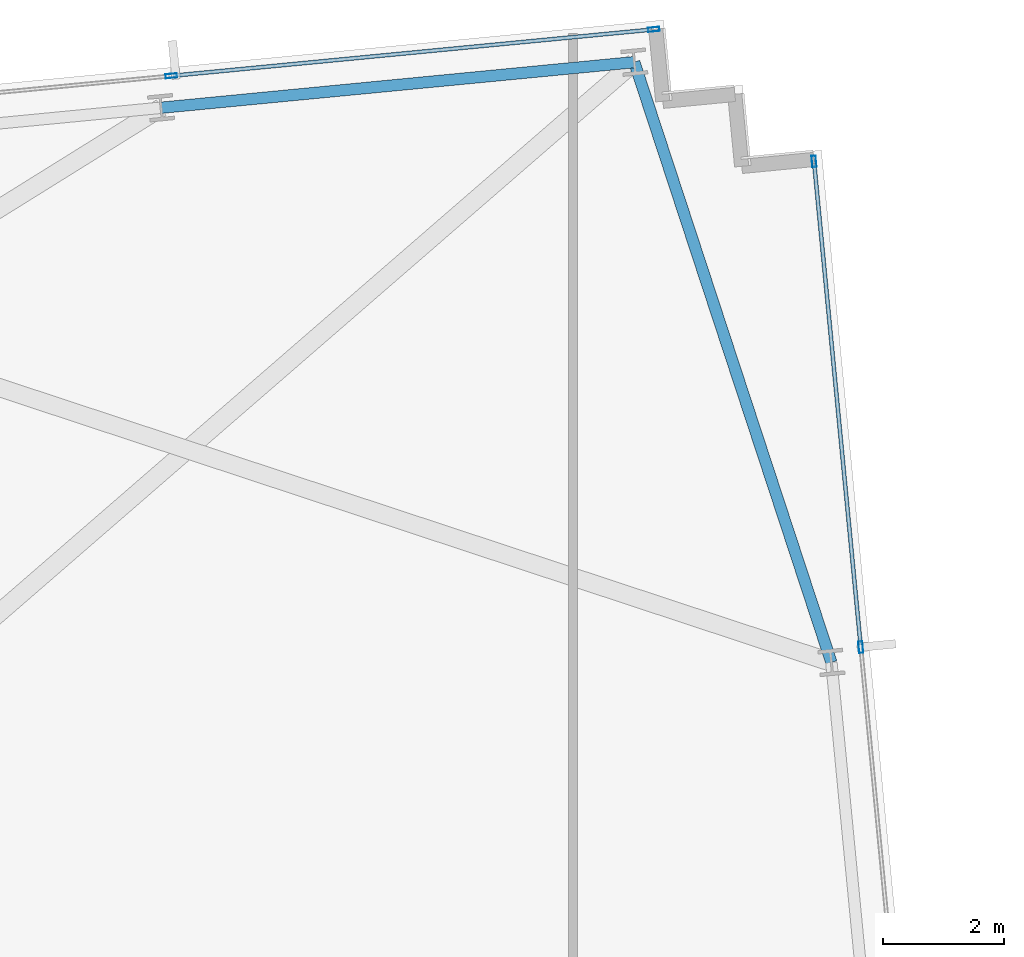
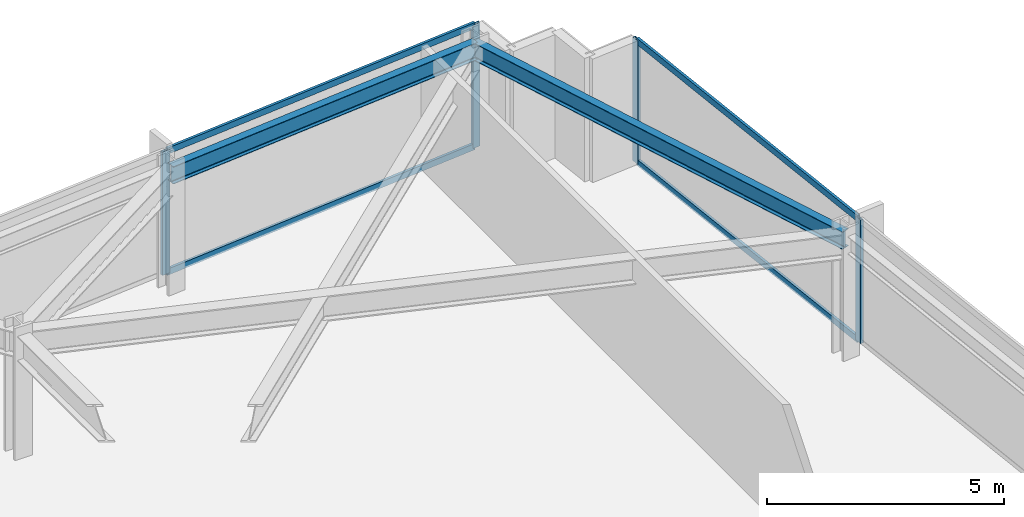
# One storey, part 23 of 33: 8 members, 2 beams, 2 elements without a shape of their own.
"""IFC4 building model written with IfcOpenShell, lengths in metres."""

import ifcopenshell
import ifcopenshell.guid

model = None  # the IFC model being written
_history = None  # IfcOwnerHistory: only IFC2X3 demands one
_inside = {}  # id of a spatial element -> (the spatial element, [elements in it])
_under = {}  # id of a project, library or spatial element -> (it, [spatial elements below it])
_declared = {}  # id of a project -> (the project, [libraries it declares])
_typed = {}  # id of a type object -> (the type object, [elements of that type])
_made_of = {}  # id of a material, layer set ... -> (it, [elements and type objects made of it])


def new_model(schema):
    """Start an empty IFC model of exactly this schema.

    Asked for "IFC4X3", IfcOpenShell would pick the latest addendum, in which some entities
    have other attributes; the version numbers below select the first issue.
    IFC2X3 requires an IfcOwnerHistory on every rooted entity: one is made here for all.
    """
    global model, _history
    if schema == "IFC4X3":
        model = ifcopenshell.file(schema_version=(4, 3, 0, 0))
    else:
        model = ifcopenshell.file(schema=schema)
    _inside.clear()
    _under.clear()
    _declared.clear()
    _typed.clear()
    _made_of.clear()
    _history = None
    if model.schema == "IFC2X3":
        org = make("IfcOrganization", Name="unknown")
        user = make(
            "IfcPersonAndOrganization",
            ThePerson=make("IfcPerson", FamilyName="unknown"),
            TheOrganization=org,
        )
        app = make(
            "IfcApplication",
            ApplicationDeveloper=org,
            Version="unknown",
            ApplicationFullName="unknown",
            ApplicationIdentifier="unknown",
        )
        _history = make(
            "IfcOwnerHistory",
            OwningUser=user,
            OwningApplication=app,
            ChangeAction="ADDED",
            CreationDate=0,
        )
    return model


def make(cls, **values):
    """One entity of the class cls with the attributes given. An attribute that is None is left unset."""
    return model.create_entity(
        cls, **{name: value for name, value in values.items() if value is not None}
    )


def rooted(cls, **values):
    """An entity with a GlobalId (a new one), such as an element, a storey or a relation."""
    return make(cls, GlobalId=ifcopenshell.guid.new(), OwnerHistory=_history, **values)


def si_unit(unit_type, name, prefix=None):
    """IfcSIUnit, for example si_unit("LENGTHUNIT", "METRE", prefix="MILLI")."""
    return make("IfcSIUnit", UnitType=unit_type, Prefix=prefix, Name=name)


def assignment(units):
    """IfcUnitAssignment: the units of a project."""
    return None if units is None else make("IfcUnitAssignment", Units=units)


def point(xyz):
    """IfcCartesianPoint."""
    return None if xyz is None else make("IfcCartesianPoint", Coordinates=xyz)


def direction(xyz):
    """IfcDirection."""
    return None if xyz is None else make("IfcDirection", DirectionRatios=xyz)


def frame(location, z_axis=None, x_axis=None):
    """IfcAxis2Placement3D, a coordinate frame: its origin and axes. An axis left out is left unset."""
    return make(
        "IfcAxis2Placement3D",
        Location=point(location),
        Axis=direction(z_axis),
        RefDirection=direction(x_axis),
    )


def frame_2d(location, x_axis=None):
    """IfcAxis2Placement2D, a coordinate frame in the plane: its origin and x axis."""
    return make(
        "IfcAxis2Placement2D", Location=point(location), RefDirection=direction(x_axis)
    )


def origin():
    """The frame at (0, 0, 0) with its axes left unset."""
    return frame((0.0, 0.0, 0.0))


def origin_2d():
    """The frame at (0, 0) in the plane with its x axis left unset."""
    return frame_2d((0.0, 0.0))


def place(relative_to, where):
    """IfcLocalPlacement: puts the frame where relative to a parent placement (None: the world)."""
    return make(
        "IfcLocalPlacement", PlacementRelTo=relative_to, RelativePlacement=where
    )


def context(
    kind, dimensions, precision=None, world=None, true_north=None, identifier=None
):
    """IfcGeometricRepresentationContext, for example the 3D "Model" context."""
    return make(
        "IfcGeometricRepresentationContext",
        ContextIdentifier=identifier,
        ContextType=kind,
        CoordinateSpaceDimension=dimensions,
        Precision=precision,
        WorldCoordinateSystem=world,
        TrueNorth=true_north,
    )


def subcontext(parent, identifier, kind, view, scale=None):
    """IfcGeometricRepresentationSubContext, for example "Body" below "Model"."""
    return make(
        "IfcGeometricRepresentationSubContext",
        ContextIdentifier=identifier,
        ContextType=kind,
        ParentContext=parent,
        TargetScale=scale,
        TargetView=view,
    )


def project(units=None, contexts=None):
    """IfcProject with its units and contexts."""
    return rooted(
        "IfcProject",
        Name="project",
        RepresentationContexts=contexts,
        UnitsInContext=assignment(units),
    )


def spatial(cls, under=None, at=None, **own):
    """A site, building, storey or space (cls), placed at a placement, below another one or the project."""
    s = rooted(cls, ObjectPlacement=at, **own)
    if under is not None:
        _under.setdefault(under.id(), (under, []))[1].append(s)
    return s


def profile(cls, at=None, kind="AREA", **sizes):
    """A parametric profile (cls). Its sizes go by their IFC names, for example OverallWidth=200.0."""
    return make(cls, ProfileType=kind, Position=at, **sizes)


def hollow_rectangle(**sizes):
    """IfcRectangleHollowProfileDef."""
    return profile("IfcRectangleHollowProfileDef", **sizes)


def i_section(**sizes):
    """IfcIShapeProfileDef."""
    return profile("IfcIShapeProfileDef", **sizes)


def extrude(swept, where, along, depth):
    """IfcExtrudedAreaSolid: the profile swept, set in the frame where, extruded along a direction by depth."""
    return make(
        "IfcExtrudedAreaSolid",
        SweptArea=swept,
        Position=where,
        ExtrudedDirection=direction(along),
        Depth=depth,
    )


def shape(context_of_items, identifier, shape_type, items):
    """IfcShapeRepresentation: the items that make up one representation, for example the "Body"."""
    return make(
        "IfcShapeRepresentation",
        ContextOfItems=context_of_items,
        RepresentationIdentifier=identifier,
        RepresentationType=shape_type,
        Items=items,
    )


def material(Name=None, Category=None):
    """IfcMaterial."""
    return make("IfcMaterial", Name=Name, Category=Category)


def material_profile(
    of_material, cross_section, Name=None, Category=None, Priority=None
):
    """IfcMaterialProfile: a cross section and its material."""
    return make(
        "IfcMaterialProfile",
        Name=Name,
        Material=of_material,
        Profile=cross_section,
        Priority=Priority,
        Category=Category,
    )


def profile_set(profiles, Name=None, composite=None):
    """IfcMaterialProfileSet."""
    return make(
        "IfcMaterialProfileSet",
        Name=Name,
        MaterialProfiles=profiles,
        CompositeProfile=composite,
    )


def made_of(thing, what):
    """Note that an element or type object is made of a material, layer set ...; save() writes the relation."""
    if what is not None:
        _made_of.setdefault(what.id(), (what, []))[1].append(thing)
    return thing


def type_object(cls, material=None, **own):
    """A type object (cls), such as IfcWallType, which elements share."""
    return made_of(rooted(cls, **own), material)


def element(
    cls,
    number,
    at=None,
    inside=None,
    cuts=None,
    type_object=None,
    material=None,
    context=None,
    identifier="Body",
    shape_type=None,
    held_by="IfcProductDefinitionShape",
    body=None,
    shapes=None,
    **own,
):
    """One element of the class cls, such as IfcWall. Its Tag is "e" and its number.

    at: its placement. inside: the storey or other place that contains it. cuts: it is an
    opening in that element (IfcRelVoidsElement). A single representation is given by context,
    identifier, shape_type and body (its items); several are given by shapes. held_by: the class
    of the entity that holds the representations. save() writes the other relations.
    """
    e = rooted(cls, Tag="e%d" % number, ObjectPlacement=at, **own)
    if body is not None:
        shapes = [shape(context, identifier, shape_type, body)]
    if shapes is not None:
        e.Representation = make(held_by, Representations=shapes)
    if inside is not None:
        _inside.setdefault(inside.id(), (inside, []))[1].append(e)
    if cuts is not None:
        rooted(
            "IfcRelVoidsElement", RelatingBuildingElement=cuts, RelatedOpeningElement=e
        )
    if type_object is not None:
        _typed.setdefault(type_object.id(), (type_object, []))[1].append(e)
    return made_of(e, material)


def aggregate(whole, parts):
    """IfcRelAggregates: a whole, such as a stair, and the parts it consists of."""
    return rooted("IfcRelAggregates", RelatingObject=whole, RelatedObjects=parts)


def save(model, path):
    """Write the relations noted so far, then the file.

    IfcRelAggregates (storeys below a building ...), IfcRelContainedInSpatialStructure (elements
    in a storey), IfcRelDefinesByType, IfcRelAssociatesMaterial and IfcRelDeclares: one each for
    every whole, place, type object, material and project.
    """
    for whole, parts in _under.values():
        aggregate(whole, parts)
    for where, things in _inside.values():
        rooted(
            "IfcRelContainedInSpatialStructure",
            RelatedElements=things,
            RelatingStructure=where,
        )
    for kind, things in _typed.values():
        rooted("IfcRelDefinesByType", RelatedObjects=things, RelatingType=kind)
    for what, things in _made_of.values():
        rooted("IfcRelAssociatesMaterial", RelatedObjects=things, RelatingMaterial=what)
    for by, libraries in _declared.values():
        rooted("IfcRelDeclares", RelatingContext=by, RelatedDefinitions=libraries)
    model.write(path)


model = new_model("IFC4")

# Units and contexts
model_context = context("Model", 3, precision=1e-05, world=origin(), true_north=direction((0.0, 1.0)))
body_context = subcontext(model_context, "Body", "Model", "MODEL_VIEW")
ifc_project = project(units=[si_unit("LENGTHUNIT", "METRE"), si_unit("AREAUNIT", "SQUARE_METRE"), si_unit("VOLUMEUNIT", "CUBIC_METRE"), si_unit("PLANEANGLEUNIT", "RADIAN"), si_unit("MASSUNIT", "GRAM", prefix="KILO")], contexts=[model_context])

# Site, building, storey
site_placement = place(None, origin())
site = spatial("IfcSite", under=ifc_project, at=site_placement, CompositionType="ELEMENT")
building_placement = place(site_placement, origin())
building = spatial("IfcBuilding", under=site, at=building_placement, Name="Yelkora Congress Tower", CompositionType="ELEMENT")
storey_placement = place(building_placement, frame((0.0, 0.0, 127.10009765625)))
storey = spatial("IfcBuildingStorey", under=building, at=storey_placement, Name="L34", CompositionType="ELEMENT", Elevation=127.10009765625)

# Beams
ifc_material_1 = material(Name="Steel S355J2", Category="steel")
ifc_material_profile_1 = material_profile(ifc_material_1, i_section(OverallWidth=0.18994140625, OverallDepth=0.449951171875, WebThickness=0.009521484375, FlangeThickness=0.0146484375, FilletRadius=0.02099609375, at=origin_2d()), Name="IPE 450")
ifc_profile_set_1 = profile_set([ifc_material_profile_1], Name="Steel S355J2")
beam_type = type_object("IfcBeamType", Name="BM-SPAN-IPE450", PredefinedType="SPANDREL", material=ifc_profile_set_1)
beam_1_placement = place(storey_placement, frame((74.522216796875, 40.610595703125, 2.954833984375), z_axis=(-0.311961656523, 0.950094692575, 0.0), x_axis=(-0.950094692575, -0.311961656523, 0.0)))
element("IfcBeam", 1, at=beam_1_placement, inside=storey, type_object=beam_type, Name="L34 Perimeter Beam 13", PredefinedType="SPANDREL", context=body_context, shape_type="SweptSolid", body=[
    extrude(i_section(OverallWidth=0.18994140625, OverallDepth=0.449951171875, WebThickness=0.009521484375, FlangeThickness=0.0146484375, FilletRadius=0.02099609375, at=origin_2d()), origin(), (0.0, 0.0, 1.0), 10.48046875),
])
beam_2_placement = place(storey_placement, frame((71.252685546875, 50.568115234375, 2.954833984375), z_axis=(-0.995392621281, -0.095882894719, 0.0), x_axis=(0.095882894719, -0.995392621281, 0.0)))
element("IfcBeam", 2, at=beam_2_placement, inside=storey, type_object=beam_type, Name="L34 Perimeter Beam 14", PredefinedType="SPANDREL", context=body_context, shape_type="SweptSolid", body=[
    extrude(i_section(OverallWidth=0.18994140625, OverallDepth=0.449951171875, WebThickness=0.009521484375, FlangeThickness=0.0146484375, FilletRadius=0.02099609375, at=origin_2d()), origin(), (0.0, 0.0, 1.0), 7.8857421875),
])

# Curtain wall, members
ifc_material_2 = material(Name="Anodised aluminium and insulated glass", Category="aluminium")
curtain_wall_type = type_object("IfcCurtainWallType", Name="CW-SYS-B2", PredefinedType="NOTDEFINED", material=ifc_material_2)
curtain_wall_1_placement = place(storey_placement, origin())
curtain_wall_1 = element("IfcCurtainWall", 3, at=curtain_wall_1_placement, inside=storey, type_object=curtain_wall_type, Name="L34 Unitised Curtain Wall 10 (3)", PredefinedType="NOTDEFINED")
ifc_material_3 = material(Name="Anodised aluminium 6063-T6", Category="aluminium")
ifc_material_profile_2 = material_profile(ifc_material_3, hollow_rectangle(XDim=0.070068359375, YDim=0.18994140625, WallThickness=0.00390625, at=origin_2d()), Name="ALU 70x190x4")
ifc_profile_set_2 = profile_set([ifc_material_profile_2], Name="Anodised aluminium 6063-T6")
member_type_1 = type_object("IfcMemberType", Name="MEM-ML-B2", PredefinedType="MULLION", material=ifc_profile_set_2)
member_1_placement = place(storey_placement, frame((63.572021484375, 50.3408203125, 0.0), z_axis=(0.0, 0.0, 1.0), x_axis=(-0.095844238468, 0.995396344153, 0.0)))
member_1 = element("IfcMember", 4, at=member_1_placement, type_object=member_type_1, Name="CW-B2 mullion 6", PredefinedType="MULLION", context=body_context, shape_type="SweptSolid", body=[
    extrude(hollow_rectangle(XDim=0.070068359375, YDim=0.18994140625, WallThickness=0.00390625, at=origin_2d()), origin(), (0.0, 0.0, 1.0), 3.179931640625),
])
member_2_placement = place(storey_placement, frame((71.5771484375, 51.111572265625, 0.0), z_axis=(0.0, 0.0, 1.0), x_axis=(-0.095844238468, 0.995396344153, 0.0)))
member_2 = element("IfcMember", 5, at=member_2_placement, type_object=member_type_1, Name="CW-B2 mullion 7", PredefinedType="MULLION", context=body_context, shape_type="SweptSolid", body=[
    extrude(hollow_rectangle(XDim=0.070068359375, YDim=0.18994140625, WallThickness=0.00390625, at=origin_2d()), origin(), (0.0, 0.0, 1.0), 3.179931640625),
])

curtain_wall_2_placement = place(storey_placement, origin())
curtain_wall_2 = element("IfcCurtainWall", 6, at=curtain_wall_2_placement, inside=storey, type_object=curtain_wall_type, Name="L34 Unitised Curtain Wall 15", PredefinedType="NOTDEFINED")
member_3_placement = place(storey_placement, frame((74.234375, 48.921142578125, 0.0), z_axis=(0.0, 0.0, 1.0), x_axis=(0.995396507508, 0.095842541913, 0.0)))
member_3 = element("IfcMember", 7, at=member_3_placement, type_object=member_type_1, Name="CW-B2 mullion 1", PredefinedType="MULLION", context=body_context, shape_type="SweptSolid", body=[
    extrude(hollow_rectangle(XDim=0.070068359375, YDim=0.18994140625, WallThickness=0.00390625, at=origin_2d()), origin(), (0.0, 0.0, 1.0), 3.179931640625),
])
member_4_placement = place(storey_placement, frame((75.010009765625, 40.863525390625, 0.0), z_axis=(0.0, 0.0, 1.0), x_axis=(0.995396507508, 0.095842541913, 0.0)))
member_4 = element("IfcMember", 8, at=member_4_placement, type_object=member_type_1, Name="CW-B2 mullion 2", PredefinedType="MULLION", context=body_context, shape_type="SweptSolid", body=[
    extrude(hollow_rectangle(XDim=0.070068359375, YDim=0.18994140625, WallThickness=0.00390625, at=origin_2d()), origin(), (0.0, 0.0, 1.0), 3.179931640625),
])

# Member
ifc_material_profile_3 = material_profile(ifc_material_3, hollow_rectangle(XDim=0.06494140625, YDim=0.159912109375, WallThickness=0.00390625, at=origin_2d()), Name="ALU 65x160x4")
ifc_profile_set_3 = profile_set([ifc_material_profile_3], Name="Anodised aluminium 6063-T6")
member_type_2 = type_object("IfcMemberType", Name="MEM-TR-B2", PredefinedType="USERDEFINED", material=ifc_profile_set_3)
member_5_placement = place(storey_placement, frame((63.606689453125, 50.343994140625, 0.032470703125), z_axis=(0.995395553311, 0.095852451448, 0.0), x_axis=(-0.095852451448, 0.995395553311, 0.0)))
member_5 = element("IfcMember", 9, at=member_5_placement, type_object=member_type_2, Name="CW-B2 transom 6.1", ObjectType="TRANSOM", PredefinedType="USERDEFINED", context=body_context, shape_type="SweptSolid", body=[
    extrude(hollow_rectangle(XDim=0.06494140625, YDim=0.159912109375, WallThickness=0.00390625, at=origin_2d()), origin(), (0.0, 0.0, 1.0), 7.97216796875),
])

member_6_placement = place(storey_placement, frame((63.606689453125, 50.343994140625, 3.1474609375), z_axis=(0.995395553311, 0.095852451448, 0.0), x_axis=(-0.095852451448, 0.995395553311, 0.0)))
member_6 = element("IfcMember", 10, at=member_6_placement, type_object=member_type_2, Name="CW-B2 transom 6.2", ObjectType="TRANSOM", PredefinedType="USERDEFINED", context=body_context, shape_type="SweptSolid", body=[
    extrude(hollow_rectangle(XDim=0.06494140625, YDim=0.159912109375, WallThickness=0.00390625, at=origin_2d()), origin(), (0.0, 0.0, 1.0), 7.97216796875),
])

aggregate(curtain_wall_1, [member_1, member_2, member_5, member_6])

member_7_placement = place(storey_placement, frame((74.237548828125, 48.88623046875, 0.032470703125), z_axis=(0.095861385662, -0.995394692943, 0.0), x_axis=(0.995394692943, 0.095861385662, 0.0)))
member_7 = element("IfcMember", 11, at=member_7_placement, type_object=member_type_2, Name="CW-B2 transom 1.1", ObjectType="TRANSOM", PredefinedType="USERDEFINED", context=body_context, shape_type="SweptSolid", body=[
    extrude(hollow_rectangle(XDim=0.06494140625, YDim=0.159912109375, WallThickness=0.00390625, at=origin_2d()), origin(), (0.0, 0.0, 1.0), 8.02490234375),
])

member_8_placement = place(storey_placement, frame((74.237548828125, 48.88623046875, 3.1474609375), z_axis=(0.095861385662, -0.995394692943, 0.0), x_axis=(0.995394692943, 0.095861385662, 0.0)))
member_8 = element("IfcMember", 12, at=member_8_placement, type_object=member_type_2, Name="CW-B2 transom 1.2", ObjectType="TRANSOM", PredefinedType="USERDEFINED", context=body_context, shape_type="SweptSolid", body=[
    extrude(hollow_rectangle(XDim=0.06494140625, YDim=0.159912109375, WallThickness=0.00390625, at=origin_2d()), origin(), (0.0, 0.0, 1.0), 8.02490234375),
])

aggregate(curtain_wall_2, [member_3, member_4, member_7, member_8])

save(model, "model.ifc")
